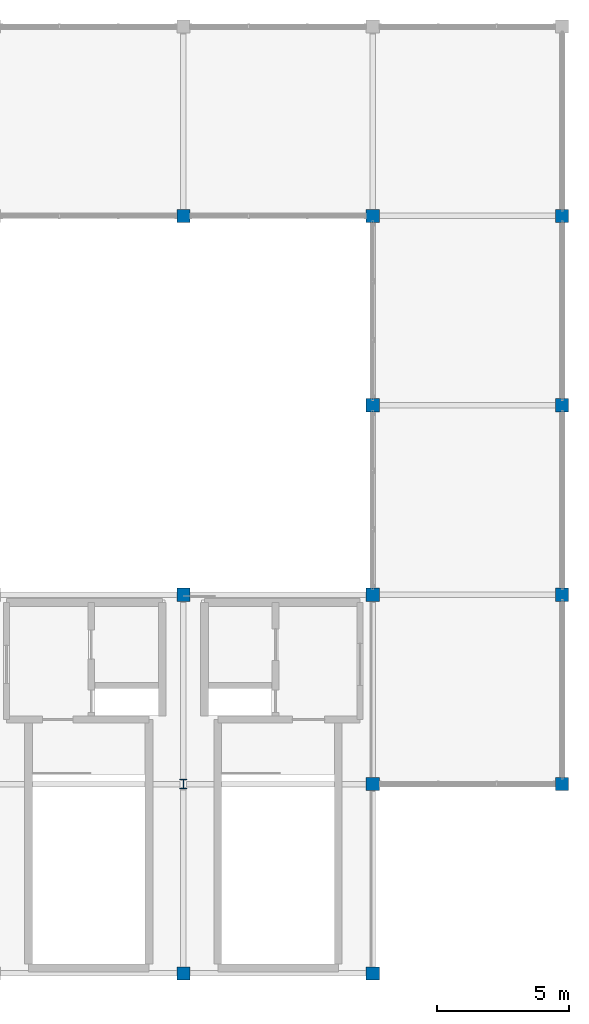
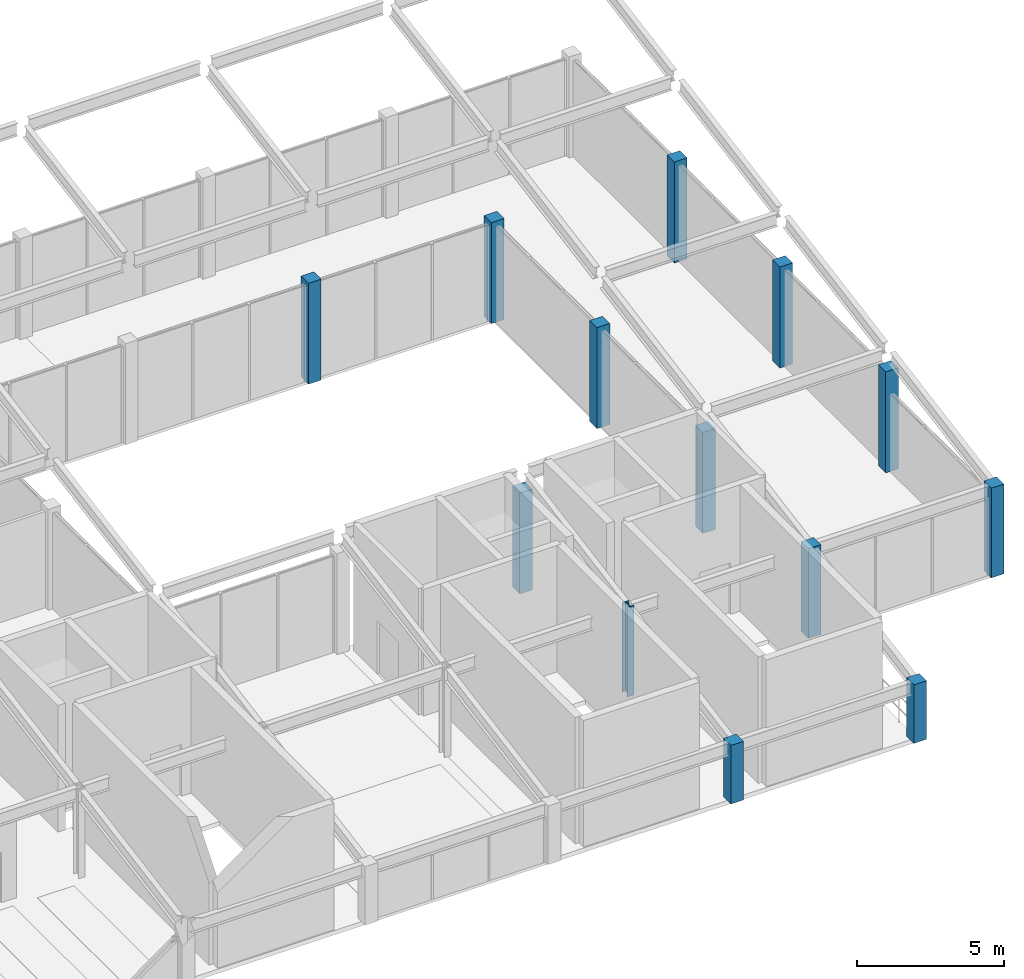
# One storey, part 2 of 16: 13 columns.
"""IFC4 building model written with IfcOpenShell, lengths in metres."""

from ifc_helpers import new_model, si_unit, direction, frame, origin, origin_2d, place, context, subcontext, project, spatial, rectangle, i_section, extrude, material, material_profile, profile_set, type_object, element, save


model = new_model("IFC4")

# Units and contexts
model_context = context("Model", 3, precision=1e-05, world=origin(), true_north=direction((0.0, 1.0)))
body_context = subcontext(model_context, "Body", "Model", "MODEL_VIEW")
ifc_project = project(units=[si_unit("LENGTHUNIT", "METRE"), si_unit("AREAUNIT", "SQUARE_METRE"), si_unit("VOLUMEUNIT", "CUBIC_METRE"), si_unit("PLANEANGLEUNIT", "RADIAN"), si_unit("MASSUNIT", "GRAM", prefix="KILO")], contexts=[model_context])

# Site, building, storey
site_placement = place(None, origin())
site = spatial("IfcSite", under=ifc_project, at=site_placement, CompositionType="ELEMENT")
building_placement = place(site_placement, origin())
building = spatial("IfcBuilding", under=site, at=building_placement, Name="Sillqori Civic Hall", CompositionType="ELEMENT")
storey_placement = place(building_placement, frame((0.0, 0.0, 25.800048828125)))
storey = spatial("IfcBuildingStorey", under=building, at=storey_placement, Name="L07", CompositionType="ELEMENT", Elevation=25.800048828125)

# Columns
ifc_material_1 = material(Name="Concrete C35/45 (H35)", Category="concrete")
ifc_material_profile_1 = material_profile(ifc_material_1, rectangle(XDim=0.5, YDim=0.5, at=origin_2d()), Name="RC 500x500")
ifc_profile_set_1 = profile_set([ifc_material_profile_1], Name="Concrete C35/45 (H35)")
column_type_1 = type_object("IfcColumnType", Name="COL-RC500", PredefinedType="COLUMN", material=ifc_profile_set_1)
column_1_placement = place(storey_placement, frame((86.39990234375, 79.199951171875, 0.0), z_axis=(0.0, 0.0, 1.0), x_axis=(1.0, 0.0, 0.0)))
element("IfcColumn", 1, at=column_1_placement, inside=storey, type_object=column_type_1, Name="L07 column 12-11", PredefinedType="COLUMN", context=body_context, shape_type="SweptSolid", body=[
    extrude(rectangle(XDim=0.5, YDim=0.5, at=origin_2d()), origin(), (0.0, 0.0, 1.0), 2.436767578125),
])
for number, where, z_axis, x_axis, name in (
    (2, (86.39990234375, 93.60009765625, 0.0), (0.0, 0.0, 1.0), (1.0, 0.0, 0.0), "L07 column 12-13"),
    (3, (86.39990234375, 108.0, 0.0), (0.0, 0.0, 1.0), (1.0, 0.0, 0.0), "L07 column 12-15"),
):
    element("IfcColumn", number, at=place(storey_placement, frame(where, z_axis=z_axis, x_axis=x_axis)), inside=storey, type_object=column_type_1, Name=name, PredefinedType="COLUMN", context=body_context, shape_type="SweptSolid", body=[
        extrude(rectangle(XDim=0.5, YDim=0.5, at=origin_2d()), origin(), (0.0, 0.0, 1.0), 4.199951171875),
    ])
column_2_placement = place(storey_placement, frame((93.60009765625, 79.199951171875, 0.0), z_axis=(0.0, 0.0, 1.0), x_axis=(1.0, 0.0, 0.0)))
element("IfcColumn", 4, at=column_2_placement, inside=storey, type_object=column_type_1, Name="L07 column 13-11", PredefinedType="COLUMN", context=body_context, shape_type="SweptSolid", body=[
    extrude(rectangle(XDim=0.5, YDim=0.5, at=origin_2d()), origin(), (0.0, 0.0, 1.0), 2.436767578125),
])
column_3_placement = place(storey_placement, frame((93.60009765625, 86.39990234375, 0.0), z_axis=(0.0, 0.0, 1.0), x_axis=(1.0, 0.0, 0.0)))
element("IfcColumn", 5, at=column_3_placement, inside=storey, type_object=column_type_1, Name="L07 column 13-12", PredefinedType="COLUMN", context=body_context, shape_type="SweptSolid", body=[
    extrude(rectangle(XDim=0.5, YDim=0.5, at=origin_2d()), origin(), (0.0, 0.0, 1.0), 3.732666015625),
])
for number, where, z_axis, x_axis, name in (
    (6, (93.60009765625, 93.60009765625, 0.0), (0.0, 0.0, 1.0), (1.0, 0.0, 0.0), "L07 column 13-13"),
    (7, (93.60009765625, 100.800048828125, 0.0), (0.0, 0.0, 1.0), (1.0, 0.0, 0.0), "L07 column 13-14"),
    (8, (93.60009765625, 108.0, 0.0), (0.0, 0.0, 1.0), (1.0, 0.0, 0.0), "L07 column 13-15"),
):
    element("IfcColumn", number, at=place(storey_placement, frame(where, z_axis=z_axis, x_axis=x_axis)), inside=storey, type_object=column_type_1, Name=name, PredefinedType="COLUMN", context=body_context, shape_type="SweptSolid", body=[
        extrude(rectangle(XDim=0.5, YDim=0.5, at=origin_2d()), origin(), (0.0, 0.0, 1.0), 4.199951171875),
    ])
column_4_placement = place(storey_placement, frame((100.800048828125, 86.39990234375, 0.0), z_axis=(0.0, 0.0, 1.0), x_axis=(1.0, 0.0, 0.0)))
element("IfcColumn", 9, at=column_4_placement, inside=storey, type_object=column_type_1, Name="L07 column 14-12", PredefinedType="COLUMN", context=body_context, shape_type="SweptSolid", body=[
    extrude(rectangle(XDim=0.5, YDim=0.5, at=origin_2d()), origin(), (0.0, 0.0, 1.0), 3.732666015625),
])
for number, where, z_axis, x_axis, name in (
    (10, (100.800048828125, 93.60009765625, 0.0), (0.0, 0.0, 1.0), (1.0, 0.0, 0.0), "L07 column 14-13"),
    (11, (100.800048828125, 100.800048828125, 0.0), (0.0, 0.0, 1.0), (1.0, 0.0, 0.0), "L07 column 14-14"),
    (12, (100.800048828125, 108.0, 0.0), (0.0, 0.0, 1.0), (1.0, 0.0, 0.0), "L07 column 14-15"),
):
    element("IfcColumn", number, at=place(storey_placement, frame(where, z_axis=z_axis, x_axis=x_axis)), inside=storey, type_object=column_type_1, Name=name, PredefinedType="COLUMN", context=body_context, shape_type="SweptSolid", body=[
        extrude(rectangle(XDim=0.5, YDim=0.5, at=origin_2d()), origin(), (0.0, 0.0, 1.0), 4.199951171875),
    ])
ifc_material_2 = material(Name="Steel ASTM A992", Category="steel")
ifc_material_profile_2 = material_profile(ifc_material_2, i_section(OverallWidth=0.257080078125, OverallDepth=0.363037109375, WebThickness=0.012939453125, FlangeThickness=0.021728515625, FilletRadius=0.014892578125, at=origin_2d()), Name="W14X82")
ifc_profile_set_2 = profile_set([ifc_material_profile_2], Name="Steel ASTM A992")
column_type_2 = type_object("IfcColumnType", Name="COL-W14X82", PredefinedType="COLUMN", material=ifc_profile_set_2)
column_5_placement = place(storey_placement, frame((86.39990234375, 86.39990234375, 0.0), z_axis=(0.0, 0.0, 1.0), x_axis=(1.0, 0.0, 0.0)))
element("IfcColumn", 13, at=column_5_placement, inside=storey, type_object=column_type_2, Name="L07 column 12-12", PredefinedType="COLUMN", context=body_context, shape_type="SweptSolid", body=[
    extrude(i_section(OverallWidth=0.257080078125, OverallDepth=0.363037109375, WebThickness=0.012939453125, FlangeThickness=0.021728515625, FilletRadius=0.014892578125, at=origin_2d()), origin(), (0.0, 0.0, 1.0), 3.732666015625),
])

save(model, "model.ifc")
